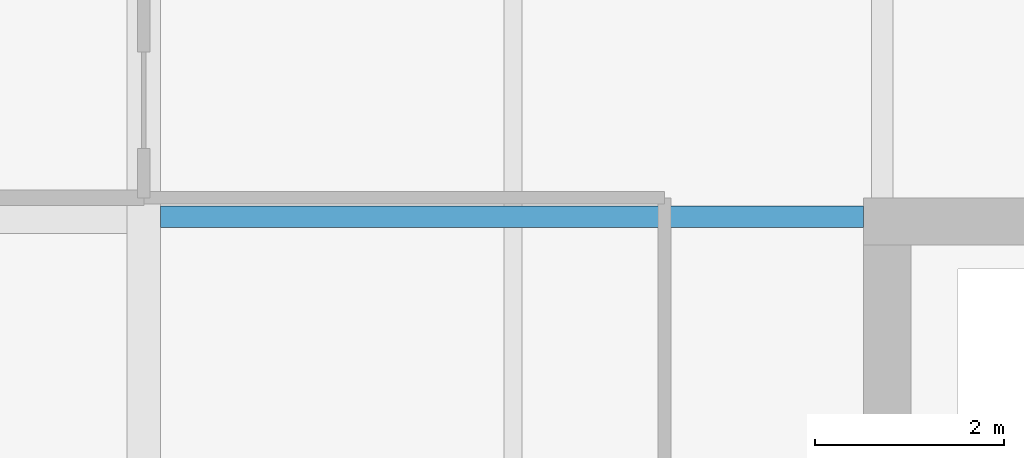
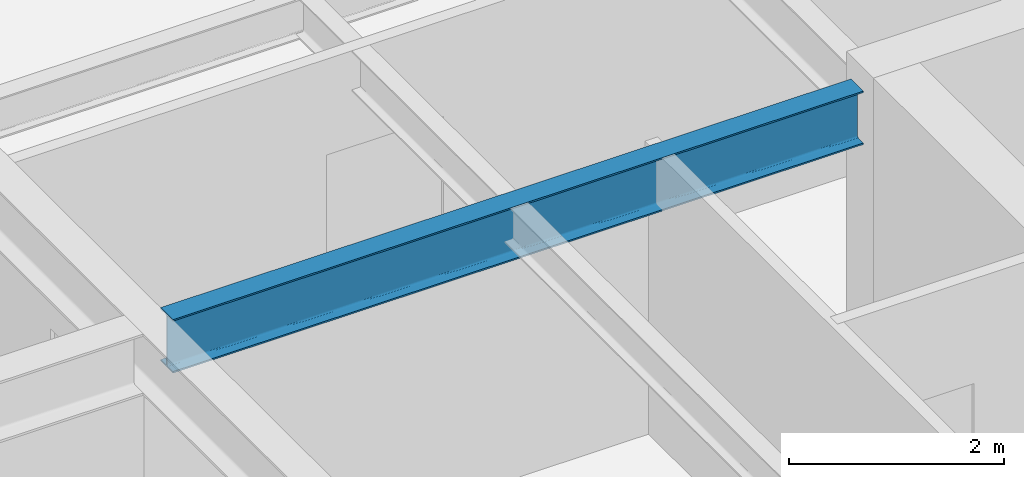
# One storey, part 18 of 32: 1 beam.
"""IFC4 building model written with IfcOpenShell, lengths in metres."""

from ifc_helpers import new_model, si_unit, direction, frame, origin, origin_2d, place, context, subcontext, project, spatial, i_section, extrude, material, material_profile, profile_set, type_object, element, save


model = new_model("IFC4")

# Units and contexts
model_context = context("Model", 3, precision=1e-05, world=origin(), true_north=direction((0.0, 1.0)))
body_context = subcontext(model_context, "Body", "Model", "MODEL_VIEW")
ifc_project = project(units=[si_unit("LENGTHUNIT", "METRE"), si_unit("AREAUNIT", "SQUARE_METRE"), si_unit("VOLUMEUNIT", "CUBIC_METRE"), si_unit("PLANEANGLEUNIT", "RADIAN"), si_unit("MASSUNIT", "GRAM", prefix="KILO")], contexts=[model_context])

# Site, building, storey
site_placement = place(None, origin())
site = spatial("IfcSite", under=ifc_project, at=site_placement, CompositionType="ELEMENT")
building_placement = place(site_placement, origin())
building = spatial("IfcBuilding", under=site, at=building_placement, Name="Drelvath Grand Hotel", CompositionType="ELEMENT")
storey_placement = place(building_placement, frame((0.0, 0.0, 164.60009765625)))
storey = spatial("IfcBuildingStorey", under=building, at=storey_placement, Name="L42", CompositionType="ELEMENT", Elevation=164.60009765625)

# Beam
ifc_material = material(Name="Steel ASTM A992 Gr 50", Category="steel")
ifc_material_profile = material_profile(ifc_material, i_section(OverallWidth=0.228271484375, OverallDepth=0.607666015625, WebThickness=0.01123046875, FlangeThickness=0.017333984375, FilletRadius=0.02001953125, at=origin_2d()), Name="W24X76")
ifc_profile_set = profile_set([ifc_material_profile], Name="Steel ASTM A992 Gr 50")
beam_type = type_object("IfcBeamType", Name="Primary Floor Girder W24X76", PredefinedType="BEAM", material=ifc_profile_set)
beam_placement = place(storey_placement, frame((-16.022705078125, 35.39990234375, 2.986083984375), z_axis=(1.0, 0.0, 0.0), x_axis=(0.0, 1.0, 0.0)))
element("IfcBeam", 1, at=beam_placement, inside=storey, type_object=beam_type, Name="L42 West Core Tie F", PredefinedType="BEAM", context=body_context, shape_type="SweptSolid", body=[
    extrude(i_section(OverallWidth=0.228271484375, OverallDepth=0.607666015625, WebThickness=0.01123046875, FlangeThickness=0.017333984375, FilletRadius=0.02001953125, at=origin_2d()), origin(), (0.0, 0.0, 1.0), 7.422607421875),
])

save(model, "model.ifc")
